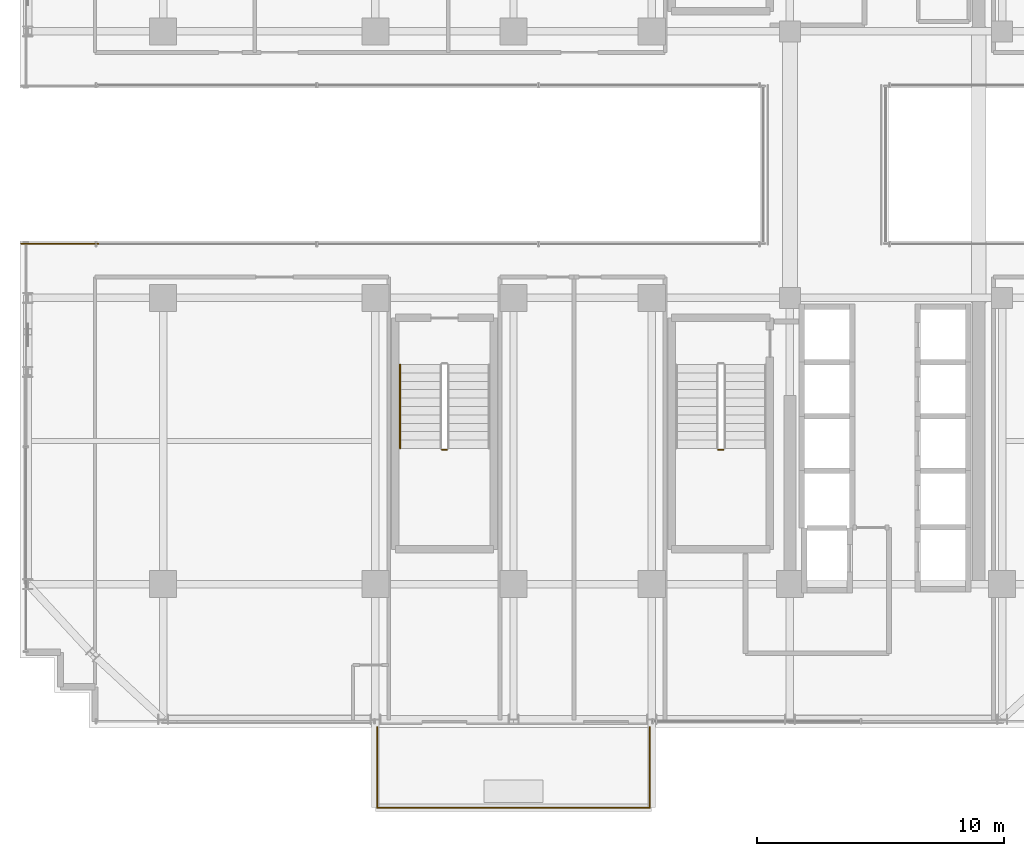
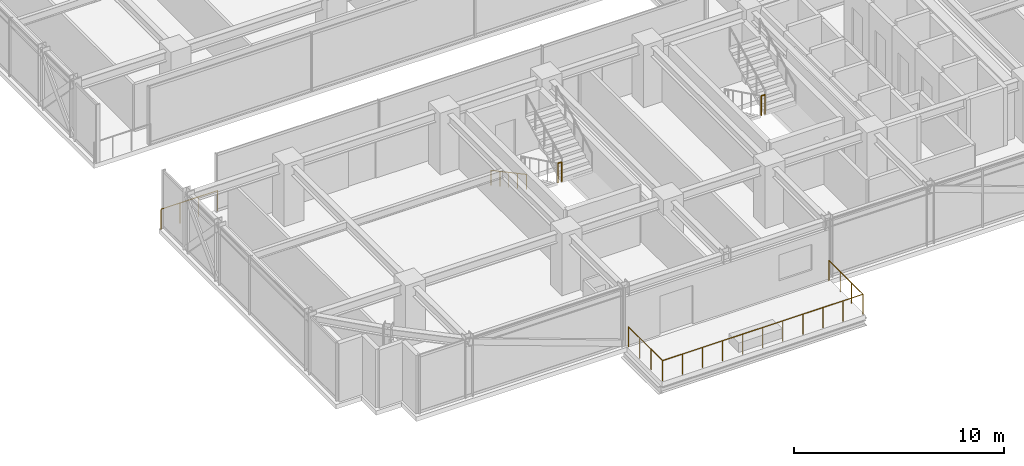
# One storey, part 35 of 38: 5 railings.
"""IFC4 building model written with IfcOpenShell, lengths in metres."""

from ifc_helpers import new_model, si_unit, direction, frame, origin, origin_2d, place, context, subcontext, project, spatial, circle, extrude, material, type_object, element, save


model = new_model("IFC4")

# Units and contexts
model_context = context("Model", 3, precision=1e-05, world=origin(), true_north=direction((0.0, 1.0)))
body_context = subcontext(model_context, "Body", "Model", "MODEL_VIEW")
ifc_project = project(units=[si_unit("LENGTHUNIT", "METRE"), si_unit("AREAUNIT", "SQUARE_METRE"), si_unit("VOLUMEUNIT", "CUBIC_METRE"), si_unit("PLANEANGLEUNIT", "RADIAN"), si_unit("MASSUNIT", "GRAM", prefix="KILO")], contexts=[model_context])

# Site, building, storey
site_placement = place(None, origin())
site = spatial("IfcSite", under=ifc_project, at=site_placement, CompositionType="ELEMENT")
building_placement = place(site_placement, origin())
building = spatial("IfcBuilding", under=site, at=building_placement, Name="Nahalor Promenade Grand Hotel", CompositionType="ELEMENT")
storey_placement = place(building_placement, frame((0.0, 0.0, 163.60009765625)))
storey = spatial("IfcBuildingStorey", under=building, at=storey_placement, Name="L41", CompositionType="ELEMENT", Elevation=163.60009765625)

# Railings
ifc_material_1 = material(Name="Anodised Bronze Aluminium EN AW-6063 T6", Category="aluminium")
railing_type_1 = type_object("IfcRailingType", Name="Bronze Balcony Guardrail 1200 mm", PredefinedType="GUARDRAIL", material=ifc_material_1)
railing_1_placement = place(storey_placement, frame((-22.739990234375, -3.199951171875, 0.0)))
element("IfcRailing", 1, at=railing_1_placement, inside=storey, type_object=railing_type_1, Name="L41 Oculus Void Edge Guardrail WS", PredefinedType="GUARDRAIL", context=body_context, shape_type="SweptSolid", body=[
    extrude(circle(Radius=0.024048, at=origin_2d()), frame((0.0, 0.0, 1.17578125), z_axis=(1.0, 0.0, 0.0), x_axis=(0.0, 1.0, 0.0)), (0.0, 0.0, 1.0), 3.119873046875),
    extrude(circle(Radius=0.020996, at=origin_2d()), origin(), (0.0, 0.0, 1.0), 1.14990234375),
    extrude(circle(Radius=0.020996, at=origin_2d()), frame((1.0400390625, 0.0, 0.0)), (0.0, 0.0, 1.0), 1.14990234375),
    extrude(circle(Radius=0.020996, at=origin_2d()), frame((2.079833984375, 0.0, 0.0)), (0.0, 0.0, 1.0), 1.14990234375),
    extrude(circle(Radius=0.020996, at=origin_2d()), frame((3.119873046875, 0.0, 0.0)), (0.0, 0.0, 1.0), 1.14990234375),
])
railing_2_placement = place(storey_placement, frame((-8.320068359375, -22.800048828125, 0.0)))
element("IfcRailing", 2, at=railing_2_placement, inside=storey, type_object=railing_type_1, Name="L41 Balcony Guardrail 1", PredefinedType="GUARDRAIL", context=body_context, shape_type="SweptSolid", body=[
    extrude(circle(Radius=0.024048, at=origin_2d()), frame((0.0, 0.0, 1.17578125), z_axis=(0.0, -1.0, 0.0), x_axis=(1.0, 0.0, 0.0)), (0.0, 0.0, 1.0), 3.258056640625),
    extrude(circle(Radius=0.024048, at=origin_2d()), frame((0.001953125, -3.260009765625, 1.17578125), z_axis=(1.0, 0.0, 0.0), x_axis=(0.0, 1.0, 0.0)), (0.0, 0.0, 1.0), 11.0361328125),
    extrude(circle(Radius=0.024048, at=origin_2d()), frame((11.0400390625, -3.258056640625, 1.17578125), z_axis=(0.0, 1.0, 0.0), x_axis=(-1.0, 0.0, 0.0)), (0.0, 0.0, 1.0), 3.258056640625),
    extrude(circle(Radius=0.020996, at=origin_2d()), origin(), (0.0, 0.0, 1.0), 1.14990234375),
    extrude(circle(Radius=0.020996, at=origin_2d()), frame((0.0, -1.086669921875, 0.0)), (0.0, 0.0, 1.0), 1.14990234375),
    extrude(circle(Radius=0.020996, at=origin_2d()), frame((0.0, -2.17333984375, 0.0)), (0.0, 0.0, 1.0), 1.14990234375),
    extrude(circle(Radius=0.020996, at=origin_2d()), frame((0.0, -3.260009765625, 0.0)), (0.0, 0.0, 1.0), 1.14990234375),
    extrude(circle(Radius=0.020996, at=origin_2d()), frame((1.10400390625, -3.260009765625, 0.0)), (0.0, 0.0, 1.0), 1.14990234375),
    extrude(circle(Radius=0.020996, at=origin_2d()), frame((2.2080078125, -3.260009765625, 0.0)), (0.0, 0.0, 1.0), 1.14990234375),
    extrude(circle(Radius=0.020996, at=origin_2d()), frame((3.31201171875, -3.260009765625, 0.0)), (0.0, 0.0, 1.0), 1.14990234375),
    extrude(circle(Radius=0.020996, at=origin_2d()), frame((4.416015625, -3.260009765625, 0.0)), (0.0, 0.0, 1.0), 1.14990234375),
    extrude(circle(Radius=0.020996, at=origin_2d()), frame((5.52001953125, -3.260009765625, 0.0)), (0.0, 0.0, 1.0), 1.14990234375),
    extrude(circle(Radius=0.020996, at=origin_2d()), frame((6.6240234375, -3.260009765625, 0.0)), (0.0, 0.0, 1.0), 1.14990234375),
    extrude(circle(Radius=0.020996, at=origin_2d()), frame((7.72802734375, -3.260009765625, 0.0)), (0.0, 0.0, 1.0), 1.14990234375),
    extrude(circle(Radius=0.020996, at=origin_2d()), frame((8.83203125, -3.260009765625, 0.0)), (0.0, 0.0, 1.0), 1.14990234375),
    extrude(circle(Radius=0.020996, at=origin_2d()), frame((9.93603515625, -3.260009765625, 0.0)), (0.0, 0.0, 1.0), 1.14990234375),
    extrude(circle(Radius=0.020996, at=origin_2d()), frame((11.0400390625, -3.260009765625, 0.0)), (0.0, 0.0, 1.0), 1.14990234375),
    extrude(circle(Radius=0.020996, at=origin_2d()), frame((11.0400390625, -2.17333984375, 0.0)), (0.0, 0.0, 1.0), 1.14990234375),
    extrude(circle(Radius=0.020996, at=origin_2d()), frame((11.0400390625, -1.086669921875, 0.0)), (0.0, 0.0, 1.0), 1.14990234375),
    extrude(circle(Radius=0.020996, at=origin_2d()), frame((11.0400390625, 0.0, 0.0)), (0.0, 0.0, 1.0), 1.14990234375),
])
ifc_material_2 = material(Name="Steel S355JR", Category="steel")
railing_type_2 = type_object("IfcRailingType", Name="Steel Stair Guardrail 1150 mm", PredefinedType="GUARDRAIL", material=ifc_material_2)
for number, where, name in (
    (3, (5.5, -11.550048828125, 1.824951171875), "L41 ST2 stair guard 2"),
    (4, (-5.699951171875, -11.550048828125, 1.824951171875), "L41 ST3 stair guard 2"),
):
    element("IfcRailing", number, at=place(storey_placement, frame(where)), inside=storey, type_object=railing_type_2, Name=name, PredefinedType="GUARDRAIL", context=body_context, shape_type="SweptSolid", body=[
        extrude(circle(Radius=0.024048, at=origin_2d()), frame((0.0, 0.0, 1.1259765625), z_axis=(1.0, 0.0, 0.0), x_axis=(0.0, 1.0, 0.0)), (0.0, 0.0, 1.0), 0.199951171875),
        extrude(circle(Radius=0.020996, at=origin_2d()), origin(), (0.0, 0.0, 1.0), 1.099853515625),
        extrude(circle(Radius=0.020996, at=origin_2d()), frame((0.199951171875, 0.0, 0.0)), (0.0, 0.0, 1.0), 1.099853515625),
    ])
railing_type_3 = type_object("IfcRailingType", Name="Steel Stair Handrail 900 mm", PredefinedType="HANDRAIL", material=ifc_material_2)
railing_3_placement = place(storey_placement, frame((-7.39990234375, -8.10009765625, 0.165771484375)))
element("IfcRailing", 5, at=railing_3_placement, inside=storey, type_object=railing_type_3, Name="L41 ST3 stair handrail 1", PredefinedType="HANDRAIL", context=body_context, shape_type="SweptSolid", body=[
    extrude(circle(Radius=0.024048, at=origin_2d()), frame((0.0, 0.0, 0.8759765625), z_axis=(0.0, -0.881094038095, 0.47294111265), x_axis=(1.0, 0.0, 0.0)), (0.0, 0.0, 1.0), 3.858642578125),
    extrude(circle(Radius=0.020996, at=origin_2d()), origin(), (0.0, 0.0, 1.0), 0.849853515625),
    extrude(circle(Radius=0.020996, at=origin_2d()), frame((0.0, -0.85009765625, 0.456298828125)), (0.0, 0.0, 1.0), 0.849853515625),
    extrude(circle(Radius=0.020996, at=origin_2d()), frame((0.0, -1.699951171875, 0.91259765625)), (0.0, 0.0, 1.0), 0.849853515625),
    extrude(circle(Radius=0.020996, at=origin_2d()), frame((0.0, -2.5498046875, 1.36865234375)), (0.0, 0.0, 1.0), 0.849853515625),
    extrude(circle(Radius=0.020996, at=origin_2d()), frame((0.0, -3.39990234375, 1.824951171875)), (0.0, 0.0, 1.0), 0.849853515625),
])

save(model, "model.ifc")
